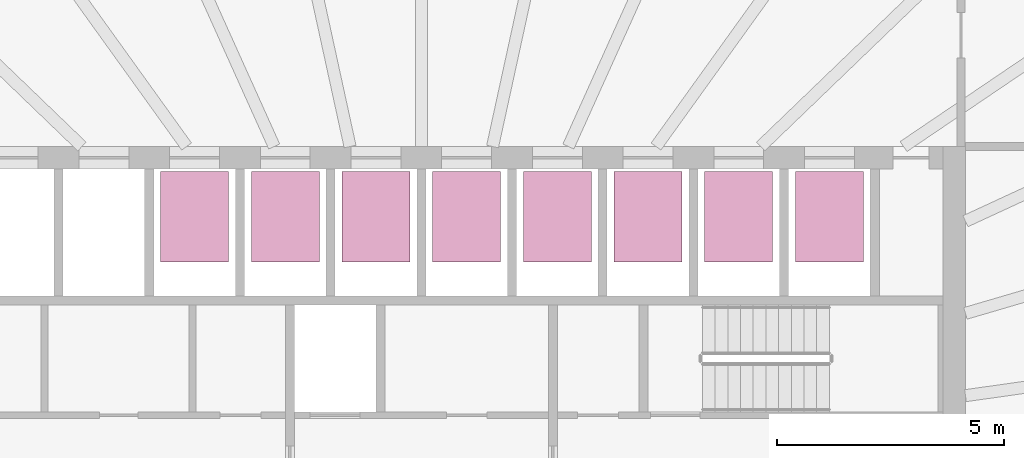
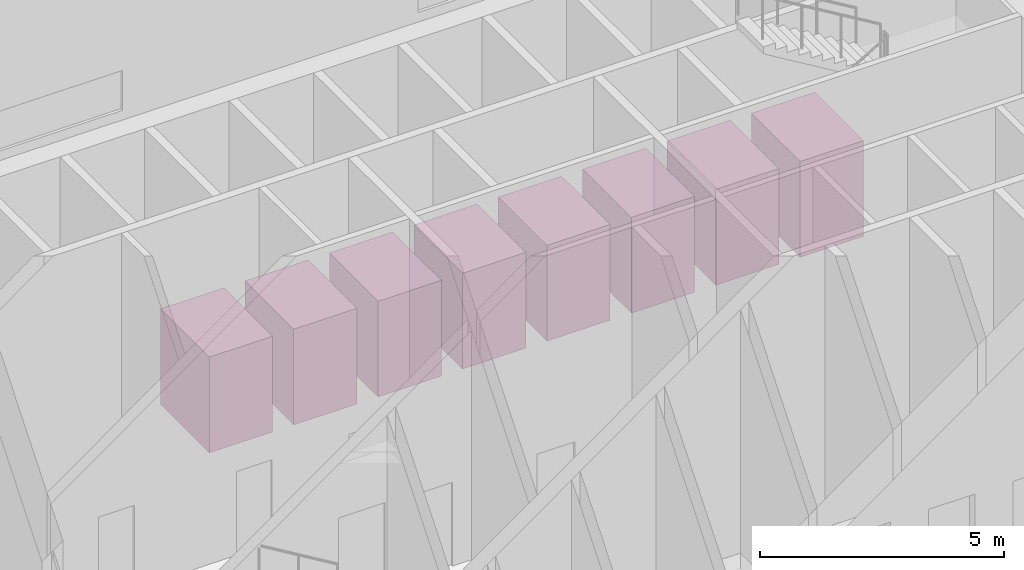
# One storey, part 15 of 15: 8 transport elements.
"""IFC4 building model written with IfcOpenShell, lengths in metres."""

import ifcopenshell
import ifcopenshell.guid

model = None  # the IFC model being written
_history = None  # IfcOwnerHistory: only IFC2X3 demands one
_inside = {}  # id of a spatial element -> (the spatial element, [elements in it])
_under = {}  # id of a project, library or spatial element -> (it, [spatial elements below it])
_declared = {}  # id of a project -> (the project, [libraries it declares])
_typed = {}  # id of a type object -> (the type object, [elements of that type])
_made_of = {}  # id of a material, layer set ... -> (it, [elements and type objects made of it])


def new_model(schema):
    """Start an empty IFC model of exactly this schema.

    Asked for "IFC4X3", IfcOpenShell would pick the latest addendum, in which some entities
    have other attributes; the version numbers below select the first issue.
    IFC2X3 requires an IfcOwnerHistory on every rooted entity: one is made here for all.
    """
    global model, _history
    if schema == "IFC4X3":
        model = ifcopenshell.file(schema_version=(4, 3, 0, 0))
    else:
        model = ifcopenshell.file(schema=schema)
    _inside.clear()
    _under.clear()
    _declared.clear()
    _typed.clear()
    _made_of.clear()
    _history = None
    if model.schema == "IFC2X3":
        org = make("IfcOrganization", Name="unknown")
        user = make(
            "IfcPersonAndOrganization",
            ThePerson=make("IfcPerson", FamilyName="unknown"),
            TheOrganization=org,
        )
        app = make(
            "IfcApplication",
            ApplicationDeveloper=org,
            Version="unknown",
            ApplicationFullName="unknown",
            ApplicationIdentifier="unknown",
        )
        _history = make(
            "IfcOwnerHistory",
            OwningUser=user,
            OwningApplication=app,
            ChangeAction="ADDED",
            CreationDate=0,
        )
    return model


def make(cls, **values):
    """One entity of the class cls with the attributes given. An attribute that is None is left unset."""
    return model.create_entity(
        cls, **{name: value for name, value in values.items() if value is not None}
    )


def rooted(cls, **values):
    """An entity with a GlobalId (a new one), such as an element, a storey or a relation."""
    return make(cls, GlobalId=ifcopenshell.guid.new(), OwnerHistory=_history, **values)


def si_unit(unit_type, name, prefix=None):
    """IfcSIUnit, for example si_unit("LENGTHUNIT", "METRE", prefix="MILLI")."""
    return make("IfcSIUnit", UnitType=unit_type, Prefix=prefix, Name=name)


def assignment(units):
    """IfcUnitAssignment: the units of a project."""
    return None if units is None else make("IfcUnitAssignment", Units=units)


def point(xyz):
    """IfcCartesianPoint."""
    return None if xyz is None else make("IfcCartesianPoint", Coordinates=xyz)


def direction(xyz):
    """IfcDirection."""
    return None if xyz is None else make("IfcDirection", DirectionRatios=xyz)


def frame(location, z_axis=None, x_axis=None):
    """IfcAxis2Placement3D, a coordinate frame: its origin and axes. An axis left out is left unset."""
    return make(
        "IfcAxis2Placement3D",
        Location=point(location),
        Axis=direction(z_axis),
        RefDirection=direction(x_axis),
    )


def frame_2d(location, x_axis=None):
    """IfcAxis2Placement2D, a coordinate frame in the plane: its origin and x axis."""
    return make(
        "IfcAxis2Placement2D", Location=point(location), RefDirection=direction(x_axis)
    )


def origin():
    """The frame at (0, 0, 0) with its axes left unset."""
    return frame((0.0, 0.0, 0.0))


def origin_2d():
    """The frame at (0, 0) in the plane with its x axis left unset."""
    return frame_2d((0.0, 0.0))


def place(relative_to, where):
    """IfcLocalPlacement: puts the frame where relative to a parent placement (None: the world)."""
    return make(
        "IfcLocalPlacement", PlacementRelTo=relative_to, RelativePlacement=where
    )


def context(
    kind, dimensions, precision=None, world=None, true_north=None, identifier=None
):
    """IfcGeometricRepresentationContext, for example the 3D "Model" context."""
    return make(
        "IfcGeometricRepresentationContext",
        ContextIdentifier=identifier,
        ContextType=kind,
        CoordinateSpaceDimension=dimensions,
        Precision=precision,
        WorldCoordinateSystem=world,
        TrueNorth=true_north,
    )


def subcontext(parent, identifier, kind, view, scale=None):
    """IfcGeometricRepresentationSubContext, for example "Body" below "Model"."""
    return make(
        "IfcGeometricRepresentationSubContext",
        ContextIdentifier=identifier,
        ContextType=kind,
        ParentContext=parent,
        TargetScale=scale,
        TargetView=view,
    )


def project(units=None, contexts=None):
    """IfcProject with its units and contexts."""
    return rooted(
        "IfcProject",
        Name="project",
        RepresentationContexts=contexts,
        UnitsInContext=assignment(units),
    )


def spatial(cls, under=None, at=None, **own):
    """A site, building, storey or space (cls), placed at a placement, below another one or the project."""
    s = rooted(cls, ObjectPlacement=at, **own)
    if under is not None:
        _under.setdefault(under.id(), (under, []))[1].append(s)
    return s


def profile(cls, at=None, kind="AREA", **sizes):
    """A parametric profile (cls). Its sizes go by their IFC names, for example OverallWidth=200.0."""
    return make(cls, ProfileType=kind, Position=at, **sizes)


def rectangle(**sizes):
    """IfcRectangleProfileDef."""
    return profile("IfcRectangleProfileDef", **sizes)


def extrude(swept, where, along, depth):
    """IfcExtrudedAreaSolid: the profile swept, set in the frame where, extruded along a direction by depth."""
    return make(
        "IfcExtrudedAreaSolid",
        SweptArea=swept,
        Position=where,
        ExtrudedDirection=direction(along),
        Depth=depth,
    )


def shape(context_of_items, identifier, shape_type, items):
    """IfcShapeRepresentation: the items that make up one representation, for example the "Body"."""
    return make(
        "IfcShapeRepresentation",
        ContextOfItems=context_of_items,
        RepresentationIdentifier=identifier,
        RepresentationType=shape_type,
        Items=items,
    )


def material(Name=None, Category=None):
    """IfcMaterial."""
    return make("IfcMaterial", Name=Name, Category=Category)


def made_of(thing, what):
    """Note that an element or type object is made of a material, layer set ...; save() writes the relation."""
    if what is not None:
        _made_of.setdefault(what.id(), (what, []))[1].append(thing)
    return thing


def type_object(cls, material=None, **own):
    """A type object (cls), such as IfcWallType, which elements share."""
    return made_of(rooted(cls, **own), material)


def element(
    cls,
    number,
    at=None,
    inside=None,
    cuts=None,
    type_object=None,
    material=None,
    context=None,
    identifier="Body",
    shape_type=None,
    held_by="IfcProductDefinitionShape",
    body=None,
    shapes=None,
    **own,
):
    """One element of the class cls, such as IfcWall. Its Tag is "e" and its number.

    at: its placement. inside: the storey or other place that contains it. cuts: it is an
    opening in that element (IfcRelVoidsElement). A single representation is given by context,
    identifier, shape_type and body (its items); several are given by shapes. held_by: the class
    of the entity that holds the representations. save() writes the other relations.
    """
    e = rooted(cls, Tag="e%d" % number, ObjectPlacement=at, **own)
    if body is not None:
        shapes = [shape(context, identifier, shape_type, body)]
    if shapes is not None:
        e.Representation = make(held_by, Representations=shapes)
    if inside is not None:
        _inside.setdefault(inside.id(), (inside, []))[1].append(e)
    if cuts is not None:
        rooted(
            "IfcRelVoidsElement", RelatingBuildingElement=cuts, RelatedOpeningElement=e
        )
    if type_object is not None:
        _typed.setdefault(type_object.id(), (type_object, []))[1].append(e)
    return made_of(e, material)


def aggregate(whole, parts):
    """IfcRelAggregates: a whole, such as a stair, and the parts it consists of."""
    return rooted("IfcRelAggregates", RelatingObject=whole, RelatedObjects=parts)


def save(model, path):
    """Write the relations noted so far, then the file.

    IfcRelAggregates (storeys below a building ...), IfcRelContainedInSpatialStructure (elements
    in a storey), IfcRelDefinesByType, IfcRelAssociatesMaterial and IfcRelDeclares: one each for
    every whole, place, type object, material and project.
    """
    for whole, parts in _under.values():
        aggregate(whole, parts)
    for where, things in _inside.values():
        rooted(
            "IfcRelContainedInSpatialStructure",
            RelatedElements=things,
            RelatingStructure=where,
        )
    for kind, things in _typed.values():
        rooted("IfcRelDefinesByType", RelatedObjects=things, RelatingType=kind)
    for what, things in _made_of.values():
        rooted("IfcRelAssociatesMaterial", RelatedObjects=things, RelatingMaterial=what)
    for by, libraries in _declared.values():
        rooted("IfcRelDeclares", RelatingContext=by, RelatedDefinitions=libraries)
    model.write(path)


model = new_model("IFC4")

# Units and contexts
model_context = context("Model", 3, precision=1e-05, world=origin(), true_north=direction((0.0, 1.0)))
body_context = subcontext(model_context, "Body", "Model", "MODEL_VIEW")
ifc_project = project(units=[si_unit("LENGTHUNIT", "METRE"), si_unit("AREAUNIT", "SQUARE_METRE"), si_unit("VOLUMEUNIT", "CUBIC_METRE"), si_unit("PLANEANGLEUNIT", "RADIAN"), si_unit("MASSUNIT", "GRAM", prefix="KILO")], contexts=[model_context])

# Site, building, storey
site_placement = place(None, origin())
site = spatial("IfcSite", under=ifc_project, at=site_placement, CompositionType="ELEMENT")
building_placement = place(site_placement, origin())
building = spatial("IfcBuilding", under=site, at=building_placement, Name="Siaravel Broadcast Tower", CompositionType="ELEMENT")
storey_placement = place(building_placement, frame((0.0, 0.0, 145.199951171875)))
storey = spatial("IfcBuildingStorey", under=building, at=storey_placement, Name="L35", CompositionType="ELEMENT", Elevation=145.199951171875)

# Transport elements
ifc_material = material(Name="Stainless steel 316L", Category="steel")
transport_element_type = type_object("IfcTransportElementType", Name="High-rise passenger lift", PredefinedType="ELEVATOR", material=ifc_material)
for number, where, z_axis, x_axis, name in (
    (1, (-5.0, 5.64990234375, 0.0), (0.0, 0.0, 1.0), (1.0, 0.0, 0.0), "High-rise passenger lift HP1"),
    (2, (-3.0, 5.64990234375, 0.0), (0.0, 0.0, 1.0), (1.0, 0.0, 0.0), "High-rise passenger lift HP2"),
    (3, (-1.0, 5.64990234375, 0.0), (0.0, 0.0, 1.0), (1.0, 0.0, 0.0), "High-rise passenger lift HP3"),
    (4, (1.0, 5.64990234375, 0.0), (0.0, 0.0, 1.0), (1.0, 0.0, 0.0), "High-rise passenger lift HP4"),
    (5, (3.0, 5.64990234375, 0.0), (0.0, 0.0, 1.0), (1.0, 0.0, 0.0), "High-rise passenger lift HP5"),
    (6, (5.0, 5.64990234375, 0.0), (0.0, 0.0, 1.0), (1.0, 0.0, 0.0), "High-rise passenger lift HP6"),
    (7, (7.0, 5.64990234375, 0.0), (0.0, 0.0, 1.0), (1.0, 0.0, 0.0), "High-rise passenger lift HP7"),
    (8, (9.0, 5.64990234375, 0.0), (0.0, 0.0, 1.0), (1.0, 0.0, 0.0), "High-rise passenger lift HP8"),
):
    element("IfcTransportElement", number, at=place(storey_placement, frame(where, z_axis=z_axis, x_axis=x_axis)), inside=storey, type_object=transport_element_type, Name=name, PredefinedType="ELEVATOR", context=body_context, shape_type="SweptSolid", body=[
        extrude(rectangle(XDim=1.5, YDim=2.0, at=origin_2d()), origin(), (0.0, 0.0, 1.0), 2.39990234375),
    ])

save(model, "model.ifc")
